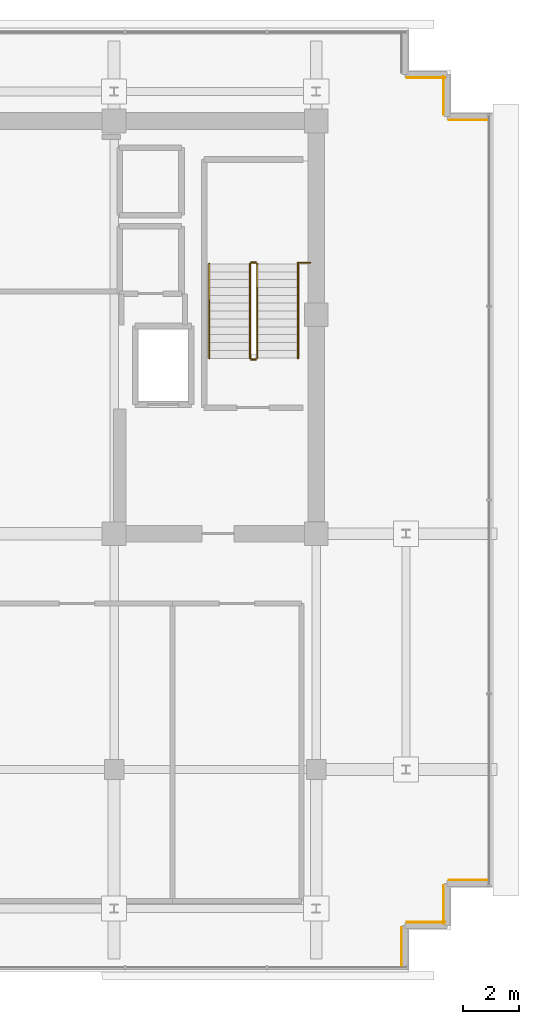
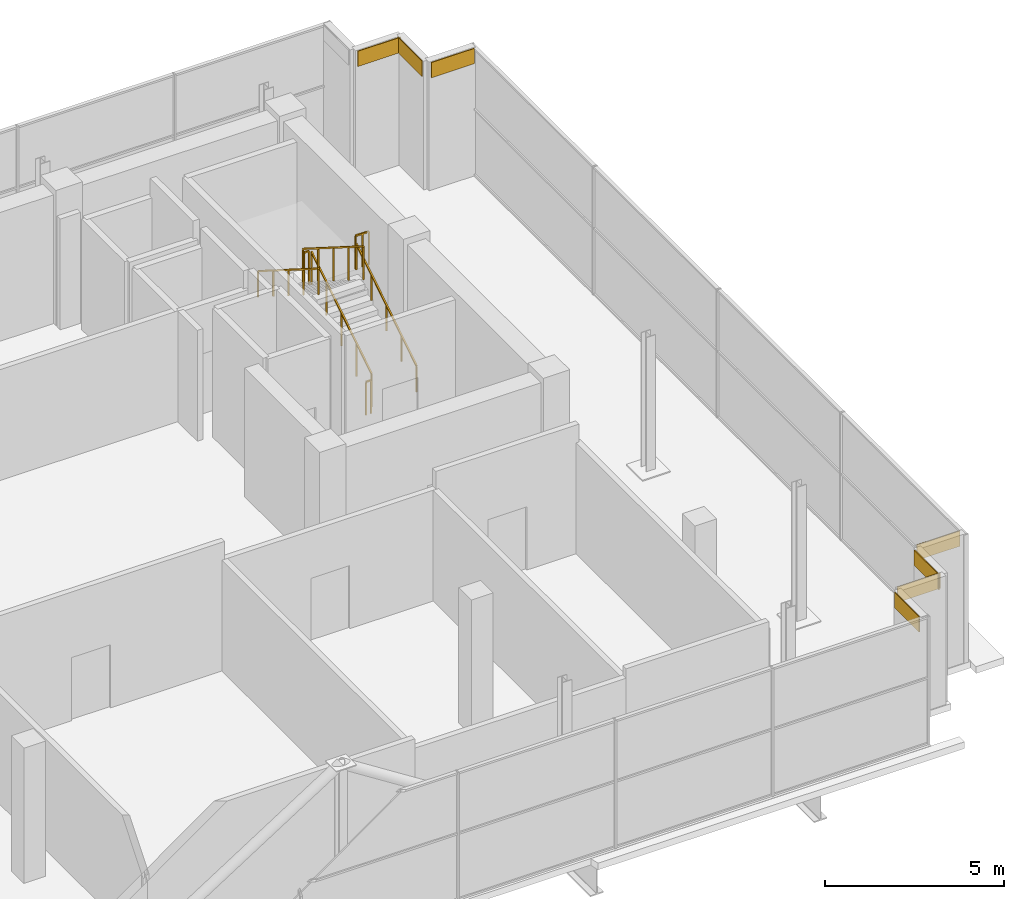
# One storey, part 27 of 28: 7 coverings, 7 railings.
"""IFC4 building model written with IfcOpenShell, lengths in metres."""

from ifc_helpers import new_model, si_unit, direction, frame, origin, origin_2d, place, context, subcontext, project, spatial, rectangle, extrude, source, transform, mapped, material, layer, layer_set, type_object, element, save


model = new_model("IFC4")

# Units and contexts
model_context = context("Model", 3, precision=1e-05, world=origin(), true_north=direction((0.0, 1.0)))
body_context = subcontext(model_context, "Body", "Model", "MODEL_VIEW")
ifc_project = project(units=[si_unit("LENGTHUNIT", "METRE"), si_unit("AREAUNIT", "SQUARE_METRE"), si_unit("VOLUMEUNIT", "CUBIC_METRE"), si_unit("PLANEANGLEUNIT", "RADIAN"), si_unit("MASSUNIT", "GRAM", prefix="KILO")], contexts=[model_context])

# Site, building, storey
site_placement = place(None, origin())
site = spatial("IfcSite", under=ifc_project, at=site_placement, CompositionType="ELEMENT")
building_placement = place(site_placement, origin())
building = spatial("IfcBuilding", under=site, at=building_placement, Name="Zarnakvel Exchange Tower", CompositionType="ELEMENT")
storey_placement = place(building_placement, frame((0.0, 0.0, 271.60009765625)))
storey = spatial("IfcBuildingStorey", under=building, at=storey_placement, Name="Crown L77", CompositionType="ELEMENT", Elevation=271.60009765625)

# Railings
ifc_material_1 = material(Name="Brushed Stainless Steel", Category="steel")
railing_type_1 = type_object("IfcRailingType", Name="HR-01", PredefinedType="HANDRAIL", material=ifc_material_1)
railing_1_placement = place(storey_placement, frame((13.75, 5.050048828125, 0.1767578125)))
element("IfcRailing", 1, at=railing_1_placement, inside=storey, type_object=railing_type_1, Name="Crown L77 ST-02 stair handrail 1", PredefinedType="HANDRAIL", context=body_context, shape_type="SweptSolid", body=[
    extrude(rectangle(XDim=0.048095703125, YDim=0.048095703125, at=origin_2d()), frame((0.0, 0.0, 0.8759765625), z_axis=(0.0, 0.845372108799, 0.534177870812), x_axis=(-1.0, 0.0, 0.0)), (0.0, 0.0, 1.0), 3.974365234375),
    extrude(rectangle(XDim=0.0419921875, YDim=0.0419921875, at=origin_2d()), origin(), (0.0, 0.0, 1.0), 0.851806640625),
    extrude(rectangle(XDim=0.0419921875, YDim=0.0419921875, at=origin_2d()), frame((0.0, 0.83984375, 0.53076171875)), (0.0, 0.0, 1.0), 0.851806640625),
    extrude(rectangle(XDim=0.0419921875, YDim=0.0419921875, at=origin_2d()), frame((0.0, 1.679931640625, 1.0615234375)), (0.0, 0.0, 1.0), 0.851806640625),
    extrude(rectangle(XDim=0.0419921875, YDim=0.0419921875, at=origin_2d()), frame((0.0, 2.52001953125, 1.59228515625)), (0.0, 0.0, 1.0), 0.851806640625),
    extrude(rectangle(XDim=0.0419921875, YDim=0.0419921875, at=origin_2d()), frame((0.0, 3.35986328125, 2.123046875)), (0.0, 0.0, 1.0), 0.851806640625),
])
railing_2_placement = place(storey_placement, frame((10.590087890625, 8.409912109375, 2.476806640625)))
element("IfcRailing", 2, at=railing_2_placement, inside=storey, type_object=railing_type_1, Name="Crown L77 ST-02 stair handrail 2", PredefinedType="HANDRAIL", context=body_context, shape_type="SweptSolid", body=[
    extrude(rectangle(XDim=0.048095703125, YDim=0.048095703125, at=origin_2d()), frame((0.0, 0.0, 0.8759765625), z_axis=(0.0, -0.845372108799, 0.534177870812), x_axis=(1.0, 0.0, 0.0)), (0.0, 0.0, 1.0), 3.974365234375),
    extrude(rectangle(XDim=0.0419921875, YDim=0.0419921875, at=origin_2d()), origin(), (0.0, 0.0, 1.0), 0.851806640625),
    extrude(rectangle(XDim=0.0419921875, YDim=0.0419921875, at=origin_2d()), frame((0.0, -0.83984375, 0.53076171875)), (0.0, 0.0, 1.0), 0.851806640625),
    extrude(rectangle(XDim=0.0419921875, YDim=0.0419921875, at=origin_2d()), frame((0.0, -1.679931640625, 1.0615234375)), (0.0, 0.0, 1.0), 0.851806640625),
    extrude(rectangle(XDim=0.0419921875, YDim=0.0419921875, at=origin_2d()), frame((0.0, -2.52001953125, 1.59228515625)), (0.0, 0.0, 1.0), 0.851806640625),
    extrude(rectangle(XDim=0.0419921875, YDim=0.0419921875, at=origin_2d()), frame((0.0, -3.35986328125, 2.123046875)), (0.0, 0.0, 1.0), 0.851806640625),
])
ifc_material_2 = material(Name="Architectural Bronze Anodised Aluminium", Category="aluminium")
railing_type_2 = type_object("IfcRailingType", Name="SG-01", PredefinedType="GUARDRAIL", material=ifc_material_2)
railing_3_placement = place(storey_placement, frame((12.300048828125, 5.050048828125, 0.1767578125)))
element("IfcRailing", 3, at=railing_3_placement, inside=storey, type_object=railing_type_2, Name="Crown L77 ST-02 stair guard 1", PredefinedType="GUARDRAIL", context=body_context, shape_type="SweptSolid", body=[
    extrude(rectangle(XDim=0.048095703125, YDim=0.048095703125, at=origin_2d()), frame((0.0, 0.0, 1.1259765625), z_axis=(0.0, 0.845372108799, 0.534177870812), x_axis=(-1.0, 0.0, 0.0)), (0.0, 0.0, 1.0), 3.974365234375),
    extrude(rectangle(XDim=0.0419921875, YDim=0.0419921875, at=origin_2d()), origin(), (0.0, 0.0, 1.0), 1.101806640625),
    extrude(rectangle(XDim=0.0419921875, YDim=0.0419921875, at=origin_2d()), frame((0.0, 0.83984375, 0.53076171875)), (0.0, 0.0, 1.0), 1.101806640625),
    extrude(rectangle(XDim=0.0419921875, YDim=0.0419921875, at=origin_2d()), frame((0.0, 1.679931640625, 1.0615234375)), (0.0, 0.0, 1.0), 1.101806640625),
    extrude(rectangle(XDim=0.0419921875, YDim=0.0419921875, at=origin_2d()), frame((0.0, 2.52001953125, 1.59228515625)), (0.0, 0.0, 1.0), 1.101806640625),
    extrude(rectangle(XDim=0.0419921875, YDim=0.0419921875, at=origin_2d()), frame((0.0, 3.35986328125, 2.123046875)), (0.0, 0.0, 1.0), 1.101806640625),
])
railing_4_placement = place(storey_placement, frame((12.25, 8.4599609375, 2.2998046875)))
element("IfcRailing", 4, at=railing_4_placement, inside=storey, type_object=railing_type_2, Name="Crown L77 ST-02 stair guard 2", PredefinedType="GUARDRAIL", context=body_context, shape_type="SweptSolid", body=[
    extrude(rectangle(XDim=0.048095703125, YDim=0.048095703125, at=origin_2d()), frame((0.0, 0.0, 1.1259765625), z_axis=(-1.0, 0.0, 0.0), x_axis=(0.0, -1.0, 0.0)), (0.0, 0.0, 1.0), 0.159912109375),
    extrude(rectangle(XDim=0.0419921875, YDim=0.0419921875, at=origin_2d()), origin(), (0.0, 0.0, 1.0), 1.101806640625),
    extrude(rectangle(XDim=0.0419921875, YDim=0.0419921875, at=origin_2d()), frame((-0.159912109375, 0.0, 0.0)), (0.0, 0.0, 1.0), 1.101806640625),
])
railing_5_placement = place(storey_placement, frame((12.0400390625, 8.409912109375, 2.476806640625)))
element("IfcRailing", 5, at=railing_5_placement, inside=storey, type_object=railing_type_2, Name="Crown L77 ST-02 stair guard 3", PredefinedType="GUARDRAIL", context=body_context, shape_type="SweptSolid", body=[
    extrude(rectangle(XDim=0.048095703125, YDim=0.048095703125, at=origin_2d()), frame((0.0, 0.0, 1.1259765625), z_axis=(0.0, -0.845372108799, 0.534177870812), x_axis=(1.0, 0.0, 0.0)), (0.0, 0.0, 1.0), 3.974365234375),
    extrude(rectangle(XDim=0.0419921875, YDim=0.0419921875, at=origin_2d()), origin(), (0.0, 0.0, 1.0), 1.101806640625),
    extrude(rectangle(XDim=0.0419921875, YDim=0.0419921875, at=origin_2d()), frame((0.0, -0.83984375, 0.53076171875)), (0.0, 0.0, 1.0), 1.101806640625),
    extrude(rectangle(XDim=0.0419921875, YDim=0.0419921875, at=origin_2d()), frame((0.0, -1.679931640625, 1.0615234375)), (0.0, 0.0, 1.0), 1.101806640625),
    extrude(rectangle(XDim=0.0419921875, YDim=0.0419921875, at=origin_2d()), frame((0.0, -2.52001953125, 1.59228515625)), (0.0, 0.0, 1.0), 1.101806640625),
    extrude(rectangle(XDim=0.0419921875, YDim=0.0419921875, at=origin_2d()), frame((0.0, -3.35986328125, 2.123046875)), (0.0, 0.0, 1.0), 1.101806640625),
])
railing_6_placement = place(storey_placement, frame((12.25, 5.0, 0.0)))
element("IfcRailing", 6, at=railing_6_placement, inside=storey, type_object=railing_type_2, Name="Crown L77 ST-02 stair guard 4", PredefinedType="GUARDRAIL", context=body_context, shape_type="SweptSolid", body=[
    extrude(rectangle(XDim=0.048095703125, YDim=0.048095703125, at=origin_2d()), frame((0.0, 0.0, 1.1259765625), z_axis=(-1.0, 0.0, 0.0), x_axis=(0.0, -1.0, 0.0)), (0.0, 0.0, 1.0), 0.159912109375),
    extrude(rectangle(XDim=0.0419921875, YDim=0.0419921875, at=origin_2d()), origin(), (0.0, 0.0, 1.0), 1.101806640625),
    extrude(rectangle(XDim=0.0419921875, YDim=0.0419921875, at=origin_2d()), frame((-0.159912109375, 0.0, 0.0)), (0.0, 0.0, 1.0), 1.101806640625),
])
railing_7_placement = place(storey_placement, frame((13.75, 8.449951171875, 2.2998046875)))
element("IfcRailing", 7, at=railing_7_placement, inside=storey, type_object=railing_type_2, Name="Crown L77 ST-02 Landing Slot Guardrail", PredefinedType="GUARDRAIL", context=body_context, shape_type="SweptSolid", body=[
    extrude(rectangle(XDim=0.048095703125, YDim=0.048095703125, at=origin_2d()), frame((0.0, 0.0, 1.1259765625), z_axis=(1.0, 0.0, 0.0), x_axis=(0.0, 1.0, 0.0)), (0.0, 0.0, 1.0), 0.429931640625),
    extrude(rectangle(XDim=0.0419921875, YDim=0.0419921875, at=origin_2d()), origin(), (0.0, 0.0, 1.0), 1.101806640625),
    extrude(rectangle(XDim=0.0419921875, YDim=0.0419921875, at=origin_2d()), frame((0.21484375, 0.0, 0.0)), (0.0, 0.0, 1.0), 1.101806640625),
    extrude(rectangle(XDim=0.0419921875, YDim=0.0419921875, at=origin_2d()), frame((0.429931640625, 0.0, 0.0)), (0.0, 0.0, 1.0), 1.101806640625),
])

# Coverings
ifc_material_3 = material(Name="Glazed Turquoise Ceramic Architectural Tile", Category="ceramic")
ifc_layer = layer(ifc_material_3, 0.028076171875)
ifc_layer_set = layer_set([ifc_layer], Name="Glazed Turquoise Ceramic Architectural Tile")
covering_type = type_object("IfcCoveringType", Name="CL-01", PredefinedType="CLADDING", material=ifc_layer_set)
shared_shape = source(origin(), body_context, "Body", "SweptSolid", [
    extrude(rectangle(XDim=1.3798828125, YDim=0.028076171875, at=origin_2d()), origin(), (0.0, 0.0, 1.0), 0.52001953125),
])
for number, where, z_axis, x_axis, name in (
    (8, (18.31005859375, 15.0380859375, 3.83984375), (0.0, 0.0, 1.0), (-1.0, 0.0, 0.0), "Crown L77 Ceramic Spandrel Tilework CL-01"),
    (9, (18.93798828125, 14.409912109375, 3.83984375), (0.0, 0.0, 1.0), (0.0, 1.0, 0.0), "Crown L77 Ceramic Spandrel Tilework CL-01"),
    (10, (19.81005859375, 13.5380859375, 3.83984375), (0.0, 0.0, 1.0), (-1.0, 0.0, 0.0), "Crown L77 Ceramic Spandrel Tilework CL-01"),
    (11, (19.81005859375, -13.5380859375, 3.83984375), (0.0, 0.0, 1.0), (1.0, 0.0, 0.0), "Crown L77 Ceramic Spandrel Tilework CL-01"),
    (12, (18.93798828125, -14.409912109375, 3.83984375), (0.0, 0.0, 1.0), (0.0, 1.0, 0.0), "Crown L77 Ceramic Spandrel Tilework CL-01"),
    (13, (18.31005859375, -15.0380859375, 3.83984375), (0.0, 0.0, 1.0), (1.0, 0.0, 0.0), "Crown L77 Ceramic Spandrel Tilework CL-01"),
    (14, (17.43798828125, -15.909912109375, 3.83984375), (0.0, 0.0, 1.0), (0.0, 1.0, 0.0), "Crown L77 Ceramic Spandrel Tilework CL-01"),
):
    element("IfcCovering", number, at=place(storey_placement, frame(where, z_axis=z_axis, x_axis=x_axis)), inside=storey, type_object=covering_type, Name=name, PredefinedType="CLADDING", context=body_context, shape_type="MappedRepresentation", body=[
        mapped(shared_shape, transform((0.0, 0.0, 0.0), x_axis=(1.0, 0.0, 0.0), y_axis=(0.0, 1.0, 0.0), z_axis=(0.0, 0.0, 1.0), scale=1.0)),
    ])

save(model, "model.ifc")
